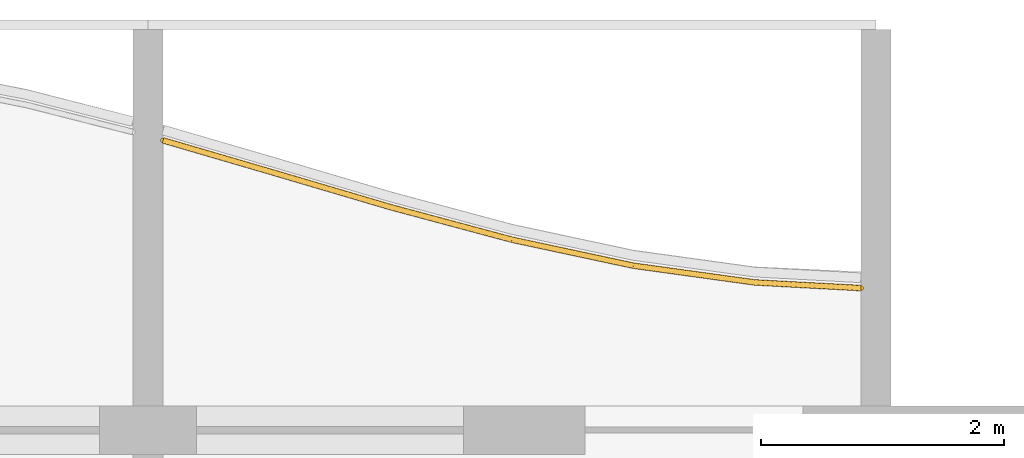
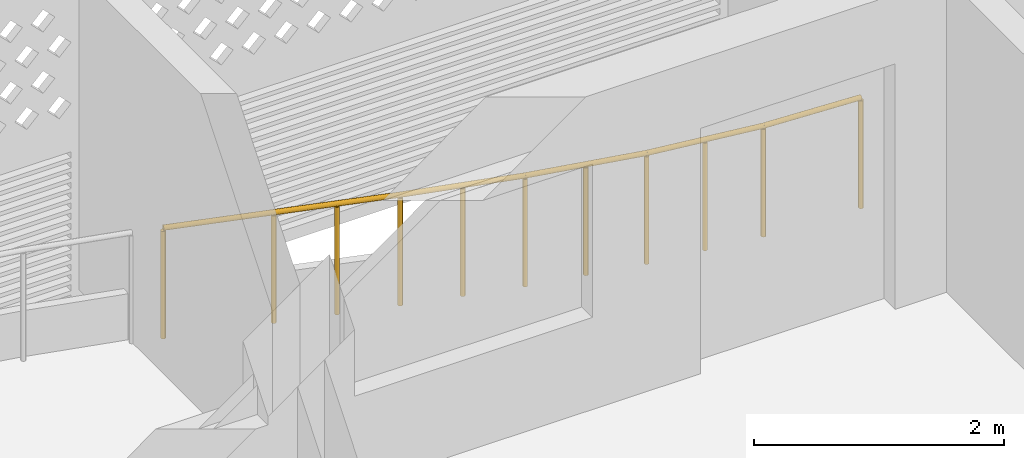
# One storey, part 27 of 28: 1 railing.
"""IFC4 building model written with IfcOpenShell, lengths in metres."""

from ifc_helpers import new_model, si_unit, direction, frame, origin, origin_2d, place, context, subcontext, project, spatial, circle, extrude, material, type_object, element, save


model = new_model("IFC4")

# Units and contexts
model_context = context("Model", 3, precision=1e-05, world=origin(), true_north=direction((0.0, 1.0)))
body_context = subcontext(model_context, "Body", "Model", "MODEL_VIEW")
ifc_project = project(units=[si_unit("LENGTHUNIT", "METRE"), si_unit("AREAUNIT", "SQUARE_METRE"), si_unit("VOLUMEUNIT", "CUBIC_METRE"), si_unit("PLANEANGLEUNIT", "RADIAN"), si_unit("MASSUNIT", "GRAM", prefix="KILO")], contexts=[model_context])

# Site, building, storey
site_placement = place(None, origin())
site = spatial("IfcSite", under=ifc_project, at=site_placement, CompositionType="ELEMENT")
building_placement = place(site_placement, origin())
building = spatial("IfcBuilding", under=site, at=building_placement, Name="Poui Terraces", CompositionType="ELEMENT")
storey_placement = place(building_placement, frame((0.0, 0.0, 181.800048828125)))
storey = spatial("IfcBuildingStorey", under=building, at=storey_placement, Name="L50", CompositionType="ELEMENT", Elevation=181.800048828125)

# Railing
ifc_material = material(Name="Painted steel fretwork", Category="steel")
railing_type = type_object("IfcRailingType", Name="BALCONY GUARD 1100", PredefinedType="GUARDRAIL", material=ifc_material)
railing_placement = place(storey_placement, frame((72.125, 43.587890625, 0.0)))
element("IfcRailing", 1, at=railing_placement, inside=storey, type_object=railing_type, Name="BALCONY GUARD", PredefinedType="GUARDRAIL", context=body_context, shape_type="SweptSolid", body=[
    extrude(circle(Radius=0.02392578125, at=origin_2d()), frame((0.0, 0.0, 1.076171875), z_axis=(0.959879926868, -0.280411351404, 0.0), x_axis=(0.280411351404, 0.959879926868, 0.0)), (0.0, 0.0, 1.0), 0.91162109375),
    extrude(circle(Radius=0.02392578125, at=origin_2d()), frame((0.875, -0.255615234375, 1.076171875), z_axis=(0.959219941058, -0.282660758998, 0.0), x_axis=(0.282660758998, 0.959219941058, 0.0)), (0.0, 0.0, 1.0), 1.04248046875),
    extrude(circle(Radius=0.02392578125, at=origin_2d()), frame((1.875, -0.55029296875, 1.076171875), z_axis=(0.965897516379, -0.258924676022, 0.0), x_axis=(0.258924676022, 0.965897516379, 0.0)), (0.0, 0.0, 1.0), 1.035400390625),
    extrude(circle(Radius=0.02392578125, at=origin_2d()), frame((2.875, -0.818359375, 1.076171875), z_axis=(0.977837336556, -0.20936605082, 0.0), x_axis=(0.20936605082, 0.977837336556, 0.0)), (0.0, 0.0, 1.0), 1.022705078125),
    extrude(circle(Radius=0.02392578125, at=origin_2d()), frame((3.875, -1.032470703125, 1.076171875), z_axis=(0.990620000385, -0.136645581108, 0.0), x_axis=(0.136645581108, 0.990620000385, 0.0)), (0.0, 0.0, 1.0), 1.009521484375),
    extrude(circle(Radius=0.02392578125, at=origin_2d()), frame((4.875, -1.17041015625, 1.076171875), z_axis=(0.998582977112, -0.053216894149, 0.0), x_axis=(0.053216894149, 0.998582977112, 0.0)), (0.0, 0.0, 1.0), 0.876220703125),
    extrude(circle(Radius=0.02099609375, at=origin_2d()), origin(), (0.0, 0.0, 1.0), 1.052001953125),
    extrude(circle(Radius=0.02099609375, at=origin_2d()), frame((0.875, -0.255615234375, 0.0)), (0.0, 0.0, 1.0), 1.052001953125),
    extrude(circle(Radius=0.02099609375, at=origin_2d()), frame((1.375, -0.40283203125, 0.0)), (0.0, 0.0, 1.0), 1.052001953125),
    extrude(circle(Radius=0.02099609375, at=origin_2d()), frame((1.875, -0.55029296875, 0.0)), (0.0, 0.0, 1.0), 1.052001953125),
    extrude(circle(Radius=0.02099609375, at=origin_2d()), frame((2.375, -0.684326171875, 0.0)), (0.0, 0.0, 1.0), 1.052001953125),
    extrude(circle(Radius=0.02099609375, at=origin_2d()), frame((2.875, -0.818359375, 0.0)), (0.0, 0.0, 1.0), 1.052001953125),
    extrude(circle(Radius=0.02099609375, at=origin_2d()), frame((3.375, -0.92529296875, 0.0)), (0.0, 0.0, 1.0), 1.052001953125),
    extrude(circle(Radius=0.02099609375, at=origin_2d()), frame((3.875, -1.032470703125, 0.0)), (0.0, 0.0, 1.0), 1.052001953125),
    extrude(circle(Radius=0.02099609375, at=origin_2d()), frame((4.375, -1.1015625, 0.0)), (0.0, 0.0, 1.0), 1.052001953125),
    extrude(circle(Radius=0.02099609375, at=origin_2d()), frame((4.875, -1.17041015625, 0.0)), (0.0, 0.0, 1.0), 1.052001953125),
    extrude(circle(Radius=0.02099609375, at=origin_2d()), frame((5.75, -1.217041015625, 0.0)), (0.0, 0.0, 1.0), 1.052001953125),
])

save(model, "model.ifc")
